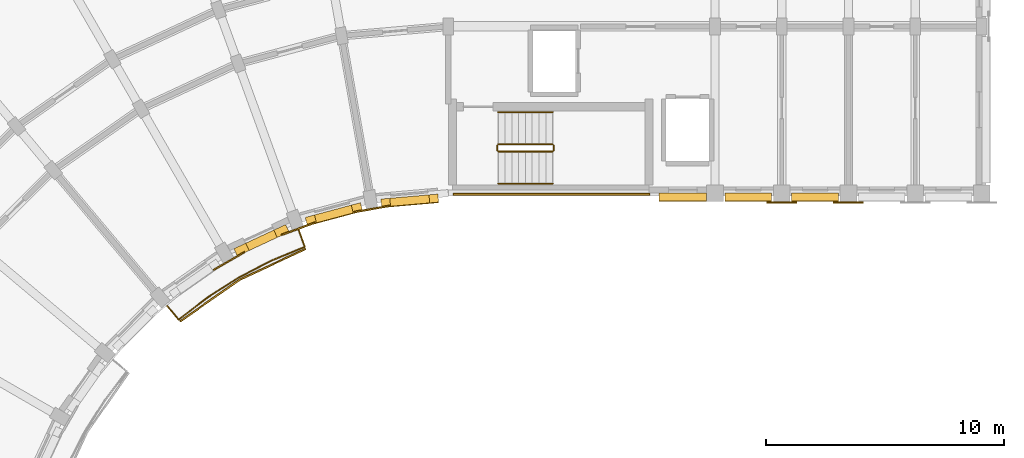
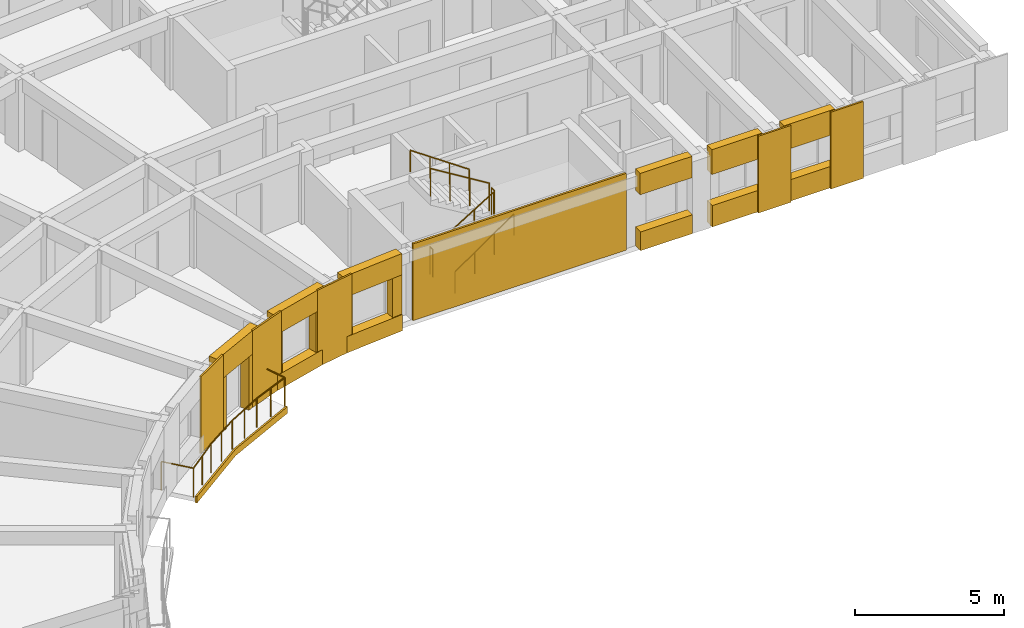
# One storey, part 49 of 57: 24 coverings, 7 railings.
"""IFC4 building model written with IfcOpenShell, lengths in metres."""

import ifcopenshell
import ifcopenshell.guid

model = None  # the IFC model being written
_history = None  # IfcOwnerHistory: only IFC2X3 demands one
_inside = {}  # id of a spatial element -> (the spatial element, [elements in it])
_under = {}  # id of a project, library or spatial element -> (it, [spatial elements below it])
_declared = {}  # id of a project -> (the project, [libraries it declares])
_typed = {}  # id of a type object -> (the type object, [elements of that type])
_made_of = {}  # id of a material, layer set ... -> (it, [elements and type objects made of it])


def new_model(schema):
    """Start an empty IFC model of exactly this schema.

    Asked for "IFC4X3", IfcOpenShell would pick the latest addendum, in which some entities
    have other attributes; the version numbers below select the first issue.
    IFC2X3 requires an IfcOwnerHistory on every rooted entity: one is made here for all.
    """
    global model, _history
    if schema == "IFC4X3":
        model = ifcopenshell.file(schema_version=(4, 3, 0, 0))
    else:
        model = ifcopenshell.file(schema=schema)
    _inside.clear()
    _under.clear()
    _declared.clear()
    _typed.clear()
    _made_of.clear()
    _history = None
    if model.schema == "IFC2X3":
        org = make("IfcOrganization", Name="unknown")
        user = make(
            "IfcPersonAndOrganization",
            ThePerson=make("IfcPerson", FamilyName="unknown"),
            TheOrganization=org,
        )
        app = make(
            "IfcApplication",
            ApplicationDeveloper=org,
            Version="unknown",
            ApplicationFullName="unknown",
            ApplicationIdentifier="unknown",
        )
        _history = make(
            "IfcOwnerHistory",
            OwningUser=user,
            OwningApplication=app,
            ChangeAction="ADDED",
            CreationDate=0,
        )
    return model


def make(cls, **values):
    """One entity of the class cls with the attributes given. An attribute that is None is left unset."""
    return model.create_entity(
        cls, **{name: value for name, value in values.items() if value is not None}
    )


def rooted(cls, **values):
    """An entity with a GlobalId (a new one), such as an element, a storey or a relation."""
    return make(cls, GlobalId=ifcopenshell.guid.new(), OwnerHistory=_history, **values)


def si_unit(unit_type, name, prefix=None):
    """IfcSIUnit, for example si_unit("LENGTHUNIT", "METRE", prefix="MILLI")."""
    return make("IfcSIUnit", UnitType=unit_type, Prefix=prefix, Name=name)


def assignment(units):
    """IfcUnitAssignment: the units of a project."""
    return None if units is None else make("IfcUnitAssignment", Units=units)


def point(xyz):
    """IfcCartesianPoint."""
    return None if xyz is None else make("IfcCartesianPoint", Coordinates=xyz)


def direction(xyz):
    """IfcDirection."""
    return None if xyz is None else make("IfcDirection", DirectionRatios=xyz)


def frame(location, z_axis=None, x_axis=None):
    """IfcAxis2Placement3D, a coordinate frame: its origin and axes. An axis left out is left unset."""
    return make(
        "IfcAxis2Placement3D",
        Location=point(location),
        Axis=direction(z_axis),
        RefDirection=direction(x_axis),
    )


def frame_2d(location, x_axis=None):
    """IfcAxis2Placement2D, a coordinate frame in the plane: its origin and x axis."""
    return make(
        "IfcAxis2Placement2D", Location=point(location), RefDirection=direction(x_axis)
    )


def origin():
    """The frame at (0, 0, 0) with its axes left unset."""
    return frame((0.0, 0.0, 0.0))


def origin_2d():
    """The frame at (0, 0) in the plane with its x axis left unset."""
    return frame_2d((0.0, 0.0))


def place(relative_to, where):
    """IfcLocalPlacement: puts the frame where relative to a parent placement (None: the world)."""
    return make(
        "IfcLocalPlacement", PlacementRelTo=relative_to, RelativePlacement=where
    )


def context(
    kind, dimensions, precision=None, world=None, true_north=None, identifier=None
):
    """IfcGeometricRepresentationContext, for example the 3D "Model" context."""
    return make(
        "IfcGeometricRepresentationContext",
        ContextIdentifier=identifier,
        ContextType=kind,
        CoordinateSpaceDimension=dimensions,
        Precision=precision,
        WorldCoordinateSystem=world,
        TrueNorth=true_north,
    )


def subcontext(parent, identifier, kind, view, scale=None):
    """IfcGeometricRepresentationSubContext, for example "Body" below "Model"."""
    return make(
        "IfcGeometricRepresentationSubContext",
        ContextIdentifier=identifier,
        ContextType=kind,
        ParentContext=parent,
        TargetScale=scale,
        TargetView=view,
    )


def project(units=None, contexts=None):
    """IfcProject with its units and contexts."""
    return rooted(
        "IfcProject",
        Name="project",
        RepresentationContexts=contexts,
        UnitsInContext=assignment(units),
    )


def spatial(cls, under=None, at=None, **own):
    """A site, building, storey or space (cls), placed at a placement, below another one or the project."""
    s = rooted(cls, ObjectPlacement=at, **own)
    if under is not None:
        _under.setdefault(under.id(), (under, []))[1].append(s)
    return s


def polyline(points):
    """IfcPolyline through the points."""
    return make("IfcPolyline", Points=[point(p) for p in points])


def profile(cls, at=None, kind="AREA", **sizes):
    """A parametric profile (cls). Its sizes go by their IFC names, for example OverallWidth=200.0."""
    return make(cls, ProfileType=kind, Position=at, **sizes)


def circle(**sizes):
    """IfcCircleProfileDef."""
    return profile("IfcCircleProfileDef", **sizes)


def outline(outer, holes=None, kind="AREA"):
    """IfcArbitraryClosedProfileDef: a profile drawn as a closed curve; with holes, ...WithVoids."""
    if holes is None:
        return make("IfcArbitraryClosedProfileDef", ProfileType=kind, OuterCurve=outer)
    return make(
        "IfcArbitraryProfileDefWithVoids",
        ProfileType=kind,
        OuterCurve=outer,
        InnerCurves=holes,
    )


def extrude(swept, where, along, depth):
    """IfcExtrudedAreaSolid: the profile swept, set in the frame where, extruded along a direction by depth."""
    return make(
        "IfcExtrudedAreaSolid",
        SweptArea=swept,
        Position=where,
        ExtrudedDirection=direction(along),
        Depth=depth,
    )


def shape(context_of_items, identifier, shape_type, items):
    """IfcShapeRepresentation: the items that make up one representation, for example the "Body"."""
    return make(
        "IfcShapeRepresentation",
        ContextOfItems=context_of_items,
        RepresentationIdentifier=identifier,
        RepresentationType=shape_type,
        Items=items,
    )


def material(Name=None, Category=None):
    """IfcMaterial."""
    return make("IfcMaterial", Name=Name, Category=Category)


def layer(
    of_material, thickness, ventilated=None, Name=None, Category=None, Priority=None
):
    """IfcMaterialLayer: one layer of a wall or slab, of a material (None: an air gap)."""
    return make(
        "IfcMaterialLayer",
        Material=of_material,
        LayerThickness=thickness,
        IsVentilated=ventilated,
        Name=Name,
        Category=Category,
        Priority=Priority,
    )


def layer_set(layers, Name=None):
    """IfcMaterialLayerSet."""
    return make("IfcMaterialLayerSet", MaterialLayers=layers, LayerSetName=Name)


def made_of(thing, what):
    """Note that an element or type object is made of a material, layer set ...; save() writes the relation."""
    if what is not None:
        _made_of.setdefault(what.id(), (what, []))[1].append(thing)
    return thing


def type_object(cls, material=None, **own):
    """A type object (cls), such as IfcWallType, which elements share."""
    return made_of(rooted(cls, **own), material)


def element(
    cls,
    number,
    at=None,
    inside=None,
    cuts=None,
    type_object=None,
    material=None,
    context=None,
    identifier="Body",
    shape_type=None,
    held_by="IfcProductDefinitionShape",
    body=None,
    shapes=None,
    **own,
):
    """One element of the class cls, such as IfcWall. Its Tag is "e" and its number.

    at: its placement. inside: the storey or other place that contains it. cuts: it is an
    opening in that element (IfcRelVoidsElement). A single representation is given by context,
    identifier, shape_type and body (its items); several are given by shapes. held_by: the class
    of the entity that holds the representations. save() writes the other relations.
    """
    e = rooted(cls, Tag="e%d" % number, ObjectPlacement=at, **own)
    if body is not None:
        shapes = [shape(context, identifier, shape_type, body)]
    if shapes is not None:
        e.Representation = make(held_by, Representations=shapes)
    if inside is not None:
        _inside.setdefault(inside.id(), (inside, []))[1].append(e)
    if cuts is not None:
        rooted(
            "IfcRelVoidsElement", RelatingBuildingElement=cuts, RelatedOpeningElement=e
        )
    if type_object is not None:
        _typed.setdefault(type_object.id(), (type_object, []))[1].append(e)
    return made_of(e, material)


def aggregate(whole, parts):
    """IfcRelAggregates: a whole, such as a stair, and the parts it consists of."""
    return rooted("IfcRelAggregates", RelatingObject=whole, RelatedObjects=parts)


def save(model, path):
    """Write the relations noted so far, then the file.

    IfcRelAggregates (storeys below a building ...), IfcRelContainedInSpatialStructure (elements
    in a storey), IfcRelDefinesByType, IfcRelAssociatesMaterial and IfcRelDeclares: one each for
    every whole, place, type object, material and project.
    """
    for whole, parts in _under.values():
        aggregate(whole, parts)
    for where, things in _inside.values():
        rooted(
            "IfcRelContainedInSpatialStructure",
            RelatedElements=things,
            RelatingStructure=where,
        )
    for kind, things in _typed.values():
        rooted("IfcRelDefinesByType", RelatedObjects=things, RelatingType=kind)
    for what, things in _made_of.values():
        rooted("IfcRelAssociatesMaterial", RelatedObjects=things, RelatingMaterial=what)
    for by, libraries in _declared.values():
        rooted("IfcRelDeclares", RelatingContext=by, RelatedDefinitions=libraries)
    model.write(path)


model = new_model("IFC4")

# Units and contexts
model_context = context("Model", 3, precision=1e-05, world=origin(), true_north=direction((0.0, 1.0)))
body_context = subcontext(model_context, "Body", "Model", "MODEL_VIEW")
ifc_project = project(units=[si_unit("LENGTHUNIT", "METRE"), si_unit("AREAUNIT", "SQUARE_METRE"), si_unit("VOLUMEUNIT", "CUBIC_METRE"), si_unit("PLANEANGLEUNIT", "RADIAN"), si_unit("MASSUNIT", "GRAM", prefix="KILO")], contexts=[model_context])

# Site, building, storey
site_placement = place(None, origin())
site = spatial("IfcSite", under=ifc_project, at=site_placement, CompositionType="ELEMENT")
building_placement = place(site_placement, origin())
building = spatial("IfcBuilding", under=site, at=building_placement, Name="Kiranvali Square Residences", CompositionType="ELEMENT")
storey_placement = place(building_placement, frame((0.0, 0.0, 21.300048828125)))
storey = spatial("IfcBuildingStorey", under=building, at=storey_placement, Name="L06", CompositionType="ELEMENT", Elevation=21.300048828125)

# Coverings
ifc_material_1 = material(Name="Carved Porbandar limestone classical entablature and cornice", Category="masonry")
ifc_layer_1 = layer(ifc_material_1, 0.06201171875)
ifc_layer_set_1 = layer_set([ifc_layer_1], Name="Carved Porbandar limestone classical entablature and cornice")
covering_type_1 = type_object("IfcCoveringType", Name="COV-CLAD-GBAL", PredefinedType="CLADDING", material=ifc_layer_set_1)
covering_1_placement = place(storey_placement, frame((0.0, 0.0, -0.219970703125)))
element("IfcCovering", 1, at=covering_1_placement, inside=storey, type_object=covering_type_1, Name="Block A L06 garden balcony limestone fascia 1", PredefinedType="CLADDING", context=body_context, shape_type="SweptSolid", body=[
    extrude(outline(polyline([(42.1982421875, 104.289794921875), (39.426025390625, 102.9970703125), (36.92041015625, 101.242431640625), (36.964111328125, 101.1904296875), (39.4599609375, 102.938232421875), (42.221435546875, 104.225830078125), (42.1982421875, 104.289794921875)])), origin(), (0.0, 0.0, 1.0), 0.27001953125),
])
ifc_material_2 = material(Name="Honed Porbandar limestone ashlar facade cladding", Category="masonry")
ifc_layer_2 = layer(ifc_material_2, 0.3798828125)
ifc_layer_set_2 = layer_set([ifc_layer_2], Name="Honed Porbandar limestone ashlar facade cladding")
covering_type_2 = type_object("IfcCoveringType", Name="COV-CLAD-JAMB", PredefinedType="CLADDING", material=ifc_layer_set_2)
covering_2_placement = place(storey_placement, frame((0.0, 0.0, 0.671875)))
element("IfcCovering", 2, at=covering_2_placement, inside=storey, type_object=covering_type_2, Name="L06 deep limestone window jamb reveal A-L06-GDN-00.L", PredefinedType="CLADDING", context=body_context, shape_type="SweptSolid", body=[
    extrude(outline(polyline([(47.76171875, 106.56103515625), (47.3896484375, 106.528564453125), (47.419189453125, 106.1904296875), (47.791259765625, 106.222900390625), (47.76171875, 106.56103515625)])), origin(), (0.0, 0.0, 1.0), 1.60009765625),
])
covering_3_placement = place(storey_placement, frame((0.0, 0.0, 0.671875)))
element("IfcCovering", 3, at=covering_3_placement, inside=storey, type_object=covering_type_2, Name="L06 deep limestone window jamb reveal A-L06-GDN-00.R", PredefinedType="CLADDING", context=body_context, shape_type="SweptSolid", body=[
    extrude(outline(polyline([(45.745849609375, 106.384765625), (45.373779296875, 106.352294921875), (45.4033203125, 106.013916015625), (45.775390625, 106.046630859375), (45.745849609375, 106.384765625)])), origin(), (0.0, 0.0, 1.0), 1.60009765625),
])
covering_4_placement = place(storey_placement, frame((0.0, 0.0, 0.6220703125)))
element("IfcCovering", 4, at=covering_4_placement, inside=storey, type_object=covering_type_2, Name="L06 deep limestone window jamb reveal A-L06-GDN-01.L", PredefinedType="CLADDING", context=body_context, shape_type="SweptSolid", body=[
    extrude(outline(polyline([(44.510498046875, 106.199951171875), (44.12548828125, 106.096923828125), (44.21337890625, 105.76904296875), (44.598388671875, 105.8720703125), (44.510498046875, 106.199951171875)])), origin(), (0.0, 0.0, 1.0), 1.64990234375),
])
covering_5_placement = place(storey_placement, frame((0.0, 0.0, 0.6220703125)))
element("IfcCovering", 5, at=covering_5_placement, inside=storey, type_object=covering_type_2, Name="L06 deep limestone window jamb reveal A-L06-GDN-01.R", PredefinedType="CLADDING", context=body_context, shape_type="SweptSolid", body=[
    extrude(outline(polyline([(42.580078125, 105.682861328125), (42.195068359375, 105.57958984375), (42.282958984375, 105.251708984375), (42.66796875, 105.354736328125), (42.580078125, 105.682861328125)])), origin(), (0.0, 0.0, 1.0), 1.64990234375),
])
covering_6_placement = place(storey_placement, origin())
element("IfcCovering", 6, at=covering_6_placement, inside=storey, type_object=covering_type_2, Name="L06 deep limestone window jamb reveal A-L06-GDN-02.L", PredefinedType="CLADDING", context=body_context, shape_type="SweptSolid", body=[
    extrude(outline(polyline([(41.37158203125, 105.27978515625), (40.874267578125, 105.048095703125), (41.017822265625, 104.740234375), (41.514892578125, 104.97216796875), (41.37158203125, 105.27978515625)])), origin(), (0.0, 0.0, 1.0), 2.179931640625),
])
covering_7_placement = place(storey_placement, origin())
element("IfcCovering", 7, at=covering_7_placement, inside=storey, type_object=covering_type_2, Name="L06 deep limestone window jamb reveal A-L06-GDN-02.R", PredefinedType="CLADDING", context=body_context, shape_type="SweptSolid", body=[
    extrude(outline(polyline([(39.696044921875, 104.49853515625), (39.198974609375, 104.266845703125), (39.342529296875, 103.958984375), (39.839599609375, 104.19091796875), (39.696044921875, 104.49853515625)])), origin(), (0.0, 0.0, 1.0), 2.179931640625),
])
ifc_layer_3 = layer(ifc_material_2, 0.06494140625)
ifc_layer_set_3 = layer_set([ifc_layer_3], Name="Honed Porbandar limestone ashlar facade cladding")
covering_type_3 = type_object("IfcCoveringType", Name="COV-CLAD-PIER", PredefinedType="CLADDING", material=ifc_layer_set_3)
covering_8_placement = place(storey_placement, frame((0.0, 0.0, 0.0048828125)))
element("IfcCovering", 8, at=covering_8_placement, inside=storey, type_object=covering_type_3, Name="Block A L06 garden stair limestone ashlar cladding", PredefinedType="CLADDING", context=body_context, shape_type="SweptSolid", body=[
    extrude(outline(polyline([(48.39990234375, 106.52001953125), (56.64990234375, 106.52001953125), (56.64990234375, 106.597900390625), (48.39990234375, 106.597900390625), (48.39990234375, 106.52001953125)])), origin(), (0.0, 0.0, 1.0), 3.14013671875),
])
ifc_layer_4 = layer(ifc_material_2, 0.050048828125)
ifc_layer_set_4 = layer_set([ifc_layer_4], Name="Honed Porbandar limestone ashlar facade cladding")
covering_type_4 = type_object("IfcCoveringType", Name="COV-CLAD-PIER-IN", PredefinedType="CLADDING", material=ifc_layer_set_4)
covering_9_placement = place(storey_placement, frame((0.0, 0.0, 0.0048828125)))
element("IfcCovering", 9, at=covering_9_placement, inside=storey, type_object=covering_type_4, Name="L06 Classical garden courtyard pilaster CLAD-PRIN-A-L06-A01", PredefinedType="CLADDING", context=body_context, shape_type="SweptSolid", body=[
    extrude(outline(polyline([(44.269287109375, 105.7724609375), (45.74658203125, 106.032958984375), (45.73486328125, 106.099365234375), (44.257568359375, 105.8388671875), (44.269287109375, 105.7724609375)])), origin(), (0.0, 0.0, 1.0), 3.14013671875),
])
covering_10_placement = place(storey_placement, frame((0.0, 0.0, 0.0048828125)))
element("IfcCovering", 10, at=covering_10_placement, inside=storey, type_object=covering_type_4, Name="L06 Classical garden courtyard pilaster CLAD-PRIN-A-L06-A02", PredefinedType="CLADDING", context=body_context, shape_type="SweptSolid", body=[
    extrude(outline(polyline([(41.208251953125, 104.81689453125), (42.61767578125, 105.329833984375), (42.5947265625, 105.393310546875), (41.18505859375, 104.88037109375), (41.208251953125, 104.81689453125)])), origin(), (0.0, 0.0, 1.0), 3.14013671875),
])
covering_11_placement = place(storey_placement, frame((0.0, 0.0, 0.0048828125)))
element("IfcCovering", 11, at=covering_11_placement, inside=storey, type_object=covering_type_4, Name="L06 Classical garden courtyard pilaster CLAD-PRIN-A-L06-A03", PredefinedType="CLADDING", context=body_context, shape_type="SweptSolid", body=[
    extrude(outline(polyline([(38.359375, 103.34423828125), (39.658447265625, 104.09423828125), (39.624755859375, 104.15283203125), (38.32568359375, 103.40283203125), (38.359375, 103.34423828125)])), origin(), (0.0, 0.0, 1.0), 3.14013671875),
])
covering_12_placement = place(storey_placement, frame((0.0, 0.0, 0.0048828125)))
element("IfcCovering", 12, at=covering_12_placement, inside=storey, type_object=covering_type_4, Name="L06 Classical limestone pilaster casing CLAD-PRA1I-A-L06-U140", PredefinedType="CLADDING", context=body_context, shape_type="SweptSolid", body=[
    extrude(outline(polyline([(61.570068359375, 106.181884765625), (62.830078125, 106.181884765625), (62.830078125, 106.24951171875), (61.570068359375, 106.24951171875), (61.570068359375, 106.181884765625)])), origin(), (0.0, 0.0, 1.0), 3.14013671875),
])
covering_13_placement = place(storey_placement, frame((0.0, 0.0, 0.0048828125)))
element("IfcCovering", 13, at=covering_13_placement, inside=storey, type_object=covering_type_4, Name="L06 Classical limestone pilaster casing CLAD-PRA1I-A-L06-U167", PredefinedType="CLADDING", context=body_context, shape_type="SweptSolid", body=[
    extrude(outline(polyline([(64.3701171875, 106.181884765625), (65.6298828125, 106.181884765625), (65.6298828125, 106.24951171875), (64.3701171875, 106.24951171875), (64.3701171875, 106.181884765625)])), origin(), (0.0, 0.0, 1.0), 3.14013671875),
])
ifc_layer_5 = layer(ifc_material_2, 0.360107421875)
ifc_layer_set_5 = layer_set([ifc_layer_5], Name="Honed Porbandar limestone ashlar facade cladding")
covering_type_5 = type_object("IfcCoveringType", Name="COV-CLAD-WALL", PredefinedType="CLADDING", material=ifc_layer_set_5)
covering_14_placement = place(storey_placement, frame((0.0, 0.0, 2.27197265625)))
element("IfcCovering", 14, at=covering_14_placement, inside=storey, type_object=covering_type_5, Name="L06 light limestone spandrel lintel A-L06-GDN-00", PredefinedType="CLADDING", context=body_context, shape_type="SweptSolid", body=[
    extrude(outline(polyline([(47.76171875, 106.56103515625), (45.373779296875, 106.352294921875), (45.4033203125, 106.013916015625), (47.791259765625, 106.222900390625), (47.76171875, 106.56103515625)])), origin(), (0.0, 0.0, 1.0), 0.873046875),
])
covering_15_placement = place(storey_placement, frame((0.0, 0.0, 2.27197265625)))
element("IfcCovering", 15, at=covering_15_placement, inside=storey, type_object=covering_type_5, Name="L06 light limestone spandrel lintel A-L06-GDN-01", PredefinedType="CLADDING", context=body_context, shape_type="SweptSolid", body=[
    extrude(outline(polyline([(44.510498046875, 106.199951171875), (42.195068359375, 105.57958984375), (42.282958984375, 105.251708984375), (44.598388671875, 105.8720703125), (44.510498046875, 106.199951171875)])), origin(), (0.0, 0.0, 1.0), 0.873046875),
])
covering_16_placement = place(storey_placement, frame((0.0, 0.0, 2.179931640625)))
element("IfcCovering", 16, at=covering_16_placement, inside=storey, type_object=covering_type_5, Name="L06 light limestone spandrel lintel A-L06-GDN-02", PredefinedType="CLADDING", context=body_context, shape_type="SweptSolid", body=[
    extrude(outline(polyline([(41.37158203125, 105.27978515625), (39.198974609375, 104.266845703125), (39.342529296875, 103.958984375), (41.514892578125, 104.97216796875), (41.37158203125, 105.27978515625)])), origin(), (0.0, 0.0, 1.0), 0.965087890625),
])
covering_17_placement = place(storey_placement, frame((0.0, 0.0, 2.27197265625)))
element("IfcCovering", 17, at=covering_17_placement, inside=storey, type_object=covering_type_5, Name="L06 light limestone spandrel lintel A-L06-A1IN-0", PredefinedType="CLADDING", context=body_context, shape_type="SweptSolid", body=[
    extrude(outline(polyline([(57.050048828125, 106.280029296875), (59.050048828125, 106.280029296875), (59.050048828125, 106.599609375), (57.050048828125, 106.599609375), (57.050048828125, 106.280029296875)])), origin(), (0.0, 0.0, 1.0), 0.873046875),
])
covering_18_placement = place(storey_placement, frame((0.0, 0.0, 0.0048828125)))
element("IfcCovering", 18, at=covering_18_placement, inside=storey, type_object=covering_type_5, Name="L06 limestone window sill apron A-L06-A1IN-0", PredefinedType="CLADDING", context=body_context, shape_type="SweptSolid", body=[
    extrude(outline(polyline([(57.050048828125, 106.25), (59.050048828125, 106.25), (59.050048828125, 106.599609375), (57.050048828125, 106.599609375), (57.050048828125, 106.25)])), origin(), (0.0, 0.0, 1.0), 0.76708984375),
])
covering_19_placement = place(storey_placement, frame((0.0, 0.0, 2.1298828125)))
element("IfcCovering", 19, at=covering_19_placement, inside=storey, type_object=covering_type_5, Name="L06 light limestone spandrel lintel A-L06-A1I-0", PredefinedType="CLADDING", context=body_context, shape_type="SweptSolid", body=[
    extrude(outline(polyline([(59.820068359375, 106.280029296875), (61.780029296875, 106.280029296875), (61.780029296875, 106.599609375), (59.820068359375, 106.599609375), (59.820068359375, 106.280029296875)])), origin(), (0.0, 0.0, 1.0), 1.01513671875),
])
covering_20_placement = place(storey_placement, frame((0.0, 0.0, 0.0048828125)))
element("IfcCovering", 20, at=covering_20_placement, inside=storey, type_object=covering_type_5, Name="L06 limestone window sill apron A-L06-A1I-0", PredefinedType="CLADDING", context=body_context, shape_type="SweptSolid", body=[
    extrude(outline(polyline([(59.820068359375, 106.25), (61.780029296875, 106.25), (61.780029296875, 106.599609375), (59.820068359375, 106.599609375), (59.820068359375, 106.25)])), origin(), (0.0, 0.0, 1.0), 0.875),
])
covering_21_placement = place(storey_placement, frame((0.0, 0.0, 2.1298828125)))
element("IfcCovering", 21, at=covering_21_placement, inside=storey, type_object=covering_type_5, Name="L06 light limestone spandrel lintel A-L06-A1I-1", PredefinedType="CLADDING", context=body_context, shape_type="SweptSolid", body=[
    extrude(outline(polyline([(62.6201171875, 106.280029296875), (64.580078125, 106.280029296875), (64.580078125, 106.599609375), (62.6201171875, 106.599609375), (62.6201171875, 106.280029296875)])), origin(), (0.0, 0.0, 1.0), 1.01513671875),
])
covering_22_placement = place(storey_placement, frame((0.0, 0.0, 0.0048828125)))
element("IfcCovering", 22, at=covering_22_placement, inside=storey, type_object=covering_type_5, Name="L06 limestone window sill apron A-L06-A1I-1", PredefinedType="CLADDING", context=body_context, shape_type="SweptSolid", body=[
    extrude(outline(polyline([(62.6201171875, 106.25), (64.580078125, 106.25), (64.580078125, 106.599609375), (62.6201171875, 106.599609375), (62.6201171875, 106.25)])), origin(), (0.0, 0.0, 1.0), 0.875),
])
ifc_layer_6 = layer(ifc_material_2, 0.2900390625)
ifc_layer_set_6 = layer_set([ifc_layer_6], Name="Honed Porbandar limestone ashlar facade cladding")
covering_type_6 = type_object("IfcCoveringType", Name="COV-CLAD-WALL-IN", PredefinedType="CLADDING", material=ifc_layer_set_6)
covering_23_placement = place(storey_placement, frame((0.0, 0.0, 0.0048828125)))
element("IfcCovering", 23, at=covering_23_placement, inside=storey, type_object=covering_type_6, Name="L06 limestone window sill apron A-L06-GDN-00", PredefinedType="CLADDING", context=body_context, shape_type="SweptSolid", body=[
    extrude(outline(polyline([(47.76171875, 106.56103515625), (45.373779296875, 106.352294921875), (45.406005859375, 105.984130859375), (47.7939453125, 106.193115234375), (47.76171875, 106.56103515625)])), origin(), (0.0, 0.0, 1.0), 0.6669921875),
])
covering_24_placement = place(storey_placement, frame((0.0, 0.0, 0.0048828125)))
element("IfcCovering", 24, at=covering_24_placement, inside=storey, type_object=covering_type_6, Name="L06 limestone window sill apron A-L06-GDN-01", PredefinedType="CLADDING", context=body_context, shape_type="SweptSolid", body=[
    extrude(outline(polyline([(44.510498046875, 106.199951171875), (42.195068359375, 105.57958984375), (42.290771484375, 105.22265625), (44.606201171875, 105.843017578125), (44.510498046875, 106.199951171875)])), origin(), (0.0, 0.0, 1.0), 0.6171875),
])

# Railings
ifc_material_3 = material(Name="Powder-coated architectural bronze balustrade", Category="steel")
railing_type_1 = type_object("IfcRailingType", Name="RL-BAL-GOLD-1200", PredefinedType="BALUSTRADE", material=ifc_material_3)
railing_1_placement = place(storey_placement, frame((41.78369140625, 105.4287109375, 0.0)))
element("IfcRailing", 25, at=railing_1_placement, inside=storey, type_object=railing_type_1, Name="Block A L06 garden balcony gold balustrade 1", PredefinedType="BALUSTRADE", context=body_context, shape_type="SweptSolid", body=[
    extrude(circle(Radius=0.02392578125, at=origin_2d()), frame((0.0, 0.0, 1.17578125), z_axis=(0.341964618562, -0.939712828289, 0.0), x_axis=(0.939712828289, 0.341964618562, 0.0)), (0.0, 0.0, 1.0), 1.150146484375),
    extrude(circle(Radius=0.02392578125, at=origin_2d()), frame((0.393310546875, -1.080810546875, 1.17578125), z_axis=(-0.923892883829, -0.382651197843, 0.0), x_axis=(0.382651197843, -0.923892883829, 0.0)), (0.0, 0.0, 1.0), 1.536376953125),
    extrude(circle(Radius=0.02392578125, at=origin_2d()), frame((-1.026123046875, -1.668701171875, 1.17578125), z_axis=(-0.887029366154, -0.461713009976, 0.0), x_axis=(0.461713009976, -0.887029366154, 0.0)), (0.0, 0.0, 1.0), 1.5361328125),
    extrude(circle(Radius=0.02392578125, at=origin_2d()), frame((-2.388671875, -2.3779296875, 1.17578125), z_axis=(-0.843386539688, -0.537307309343, 0.0), x_axis=(0.537307309343, -0.843386539688, 0.0)), (0.0, 0.0, 1.0), 1.5361328125),
    extrude(circle(Radius=0.02392578125, at=origin_2d()), frame((-3.684326171875, -3.203369140625, 1.17578125), z_axis=(-0.793314680996, -0.608811807471, 0.0), x_axis=(0.608811807471, -0.793314680996, 0.0)), (0.0, 0.0, 1.0), 1.536376953125),
    extrude(circle(Radius=0.02392578125, at=origin_2d()), frame((-4.903076171875, -4.138671875, 1.17578125), z_axis=(-0.642853454051, 0.765989188314, 0.0), x_axis=(-0.765989188314, -0.642853454051, 0.0)), (0.0, 0.0, 1.0), 1.14990234375),
    extrude(circle(Radius=0.02099609375, at=origin_2d()), origin(), (0.0, 0.0, 1.0), 1.15185546875),
    extrude(circle(Radius=0.02099609375, at=origin_2d()), frame((0.393310546875, -1.080810546875, 0.0)), (0.0, 0.0, 1.0), 1.15185546875),
    extrude(circle(Radius=0.02099609375, at=origin_2d()), frame((-0.31640625, -1.374755859375, 0.0)), (0.0, 0.0, 1.0), 1.15185546875),
    extrude(circle(Radius=0.02099609375, at=origin_2d()), frame((-1.026123046875, -1.668701171875, 0.0)), (0.0, 0.0, 1.0), 1.15185546875),
    extrude(circle(Radius=0.02099609375, at=origin_2d()), frame((-1.70751953125, -2.0234375, 0.0)), (0.0, 0.0, 1.0), 1.15185546875),
    extrude(circle(Radius=0.02099609375, at=origin_2d()), frame((-2.388671875, -2.3779296875, 0.0)), (0.0, 0.0, 1.0), 1.15185546875),
    extrude(circle(Radius=0.02099609375, at=origin_2d()), frame((-3.03662109375, -2.79052734375, 0.0)), (0.0, 0.0, 1.0), 1.15185546875),
    extrude(circle(Radius=0.02099609375, at=origin_2d()), frame((-3.684326171875, -3.203369140625, 0.0)), (0.0, 0.0, 1.0), 1.15185546875),
    extrude(circle(Radius=0.02099609375, at=origin_2d()), frame((-4.293701171875, -3.6708984375, 0.0)), (0.0, 0.0, 1.0), 1.15185546875),
    extrude(circle(Radius=0.02099609375, at=origin_2d()), frame((-4.903076171875, -4.138671875, 0.0)), (0.0, 0.0, 1.0), 1.15185546875),
    extrude(circle(Radius=0.02099609375, at=origin_2d()), frame((-5.642333984375, -3.2578125, 0.0)), (0.0, 0.0, 1.0), 1.15185546875),
])
ifc_material_4 = material(Name="Brushed stainless steel tubular handrail", Category="steel")
railing_type_2 = type_object("IfcRailingType", Name="RL-HANDRAIL-900", PredefinedType="HANDRAIL", material=ifc_material_4)
railing_2_placement = place(storey_placement, frame((50.300048828125, 107.0, 0.175048828125)))
element("IfcRailing", 26, at=railing_2_placement, inside=storey, type_object=railing_type_2, Name="L06 ST-A2 stair handrail 1", PredefinedType="HANDRAIL", context=body_context, shape_type="SweptSolid", body=[
    extrude(circle(Radius=0.02392578125, at=origin_2d()), frame((0.0, 0.0, 0.8759765625), z_axis=(0.82278801735, 0.0, 0.568348377763), x_axis=(0.0, 1.0, 0.0)), (0.0, 0.0, 1.0), 2.77099609375),
    extrude(circle(Radius=0.02099609375, at=origin_2d()), origin(), (0.0, 0.0, 1.0), 0.851806640625),
    extrude(circle(Radius=0.02099609375, at=origin_2d()), frame((0.760009765625, 0.0, 0.52490234375)), (0.0, 0.0, 1.0), 0.851806640625),
    extrude(circle(Radius=0.02099609375, at=origin_2d()), frame((1.52001953125, 0.0, 1.050048828125)), (0.0, 0.0, 1.0), 0.851806640625),
    extrude(circle(Radius=0.02099609375, at=origin_2d()), frame((2.280029296875, 0.0, 1.574951171875)), (0.0, 0.0, 1.0), 0.851806640625),
])
railing_3_placement = place(storey_placement, frame((52.580078125, 110.0, 1.75)))
element("IfcRailing", 27, at=railing_3_placement, inside=storey, type_object=railing_type_2, Name="L06 ST-A2 stair handrail 2", PredefinedType="HANDRAIL", context=body_context, shape_type="SweptSolid", body=[
    extrude(circle(Radius=0.02392578125, at=origin_2d()), frame((0.0, 0.0, 0.8759765625), z_axis=(-0.82278801735, 0.0, 0.568348377763), x_axis=(0.0, -1.0, 0.0)), (0.0, 0.0, 1.0), 2.77099609375),
    extrude(circle(Radius=0.02099609375, at=origin_2d()), origin(), (0.0, 0.0, 1.0), 0.851806640625),
    extrude(circle(Radius=0.02099609375, at=origin_2d()), frame((-0.760009765625, 0.0, 0.52490234375)), (0.0, 0.0, 1.0), 0.851806640625),
    extrude(circle(Radius=0.02099609375, at=origin_2d()), frame((-1.52001953125, 0.0, 1.050048828125)), (0.0, 0.0, 1.0), 0.851806640625),
    extrude(circle(Radius=0.02099609375, at=origin_2d()), frame((-2.280029296875, 0.0, 1.574951171875)), (0.0, 0.0, 1.0), 0.851806640625),
])
railing_type_3 = type_object("IfcRailingType", Name="RL-ST-GUARD-1200", PredefinedType="GUARDRAIL", material=ifc_material_3)
railing_4_placement = place(storey_placement, frame((50.300048828125, 108.35009765625, 0.175048828125)))
element("IfcRailing", 28, at=railing_4_placement, inside=storey, type_object=railing_type_3, Name="L06 ST-A2 stair guard 1", PredefinedType="GUARDRAIL", context=body_context, shape_type="SweptSolid", body=[
    extrude(circle(Radius=0.02392578125, at=origin_2d()), frame((0.0, 0.0, 1.1259765625), z_axis=(0.852190499154, 0.0, 0.523231643875), x_axis=(0.0, 1.0, 0.0)), (0.0, 0.0, 1.0), 2.675537109375),
    extrude(circle(Radius=0.02099609375, at=origin_2d()), origin(), (0.0, 0.0, 1.0), 1.101806640625),
    extrude(circle(Radius=0.02099609375, at=origin_2d()), frame((0.760009765625, 0.0, 0.466552734375)), (0.0, 0.0, 1.0), 1.101806640625),
    extrude(circle(Radius=0.02099609375, at=origin_2d()), frame((1.52001953125, 0.0, 0.933349609375)), (0.0, 0.0, 1.0), 1.101806640625),
    extrude(circle(Radius=0.02099609375, at=origin_2d()), frame((2.280029296875, 0.0, 1.39990234375)), (0.0, 0.0, 1.0), 1.101806640625),
])
railing_5_placement = place(storey_placement, frame((52.6298828125, 108.39990234375, 1.574951171875)))
element("IfcRailing", 29, at=railing_5_placement, inside=storey, type_object=railing_type_3, Name="L06 ST-A2 stair guard 2", PredefinedType="GUARDRAIL", context=body_context, shape_type="SweptSolid", body=[
    extrude(circle(Radius=0.02392578125, at=origin_2d()), frame((0.0, 0.0, 1.1259765625), z_axis=(0.0, 1.0, 0.0), x_axis=(-1.0, 0.0, 0.0)), (0.0, 0.0, 1.0), 0.2001953125),
    extrude(circle(Radius=0.02099609375, at=origin_2d()), origin(), (0.0, 0.0, 1.0), 1.101806640625),
    extrude(circle(Radius=0.02099609375, at=origin_2d()), frame((0.0, 0.2001953125, 0.0)), (0.0, 0.0, 1.0), 1.101806640625),
])
railing_6_placement = place(storey_placement, frame((52.580078125, 108.64990234375, 1.75)))
element("IfcRailing", 30, at=railing_6_placement, inside=storey, type_object=railing_type_3, Name="L06 ST-A2 stair guard 3", PredefinedType="GUARDRAIL", context=body_context, shape_type="SweptSolid", body=[
    extrude(circle(Radius=0.02392578125, at=origin_2d()), frame((0.0, 0.0, 1.1259765625), z_axis=(-0.852190499154, 0.0, 0.523231643875), x_axis=(0.0, -1.0, 0.0)), (0.0, 0.0, 1.0), 2.675537109375),
    extrude(circle(Radius=0.02099609375, at=origin_2d()), origin(), (0.0, 0.0, 1.0), 1.101806640625),
    extrude(circle(Radius=0.02099609375, at=origin_2d()), frame((-0.760009765625, 0.0, 0.466552734375)), (0.0, 0.0, 1.0), 1.101806640625),
    extrude(circle(Radius=0.02099609375, at=origin_2d()), frame((-1.52001953125, 0.0, 0.933349609375)), (0.0, 0.0, 1.0), 1.101806640625),
    extrude(circle(Radius=0.02099609375, at=origin_2d()), frame((-2.280029296875, 0.0, 1.39990234375)), (0.0, 0.0, 1.0), 1.101806640625),
])
railing_7_placement = place(storey_placement, frame((50.25, 108.39990234375, 0.0)))
element("IfcRailing", 31, at=railing_7_placement, inside=storey, type_object=railing_type_3, Name="L06 ST-A2 stair guard 4", PredefinedType="GUARDRAIL", context=body_context, shape_type="SweptSolid", body=[
    extrude(circle(Radius=0.02392578125, at=origin_2d()), frame((0.0, 0.0, 1.1259765625), z_axis=(0.0, 1.0, 0.0), x_axis=(-1.0, 0.0, 0.0)), (0.0, 0.0, 1.0), 0.2001953125),
    extrude(circle(Radius=0.02099609375, at=origin_2d()), origin(), (0.0, 0.0, 1.0), 1.101806640625),
    extrude(circle(Radius=0.02099609375, at=origin_2d()), frame((0.0, 0.2001953125, 0.0)), (0.0, 0.0, 1.0), 1.101806640625),
])

save(model, "model.ifc")
